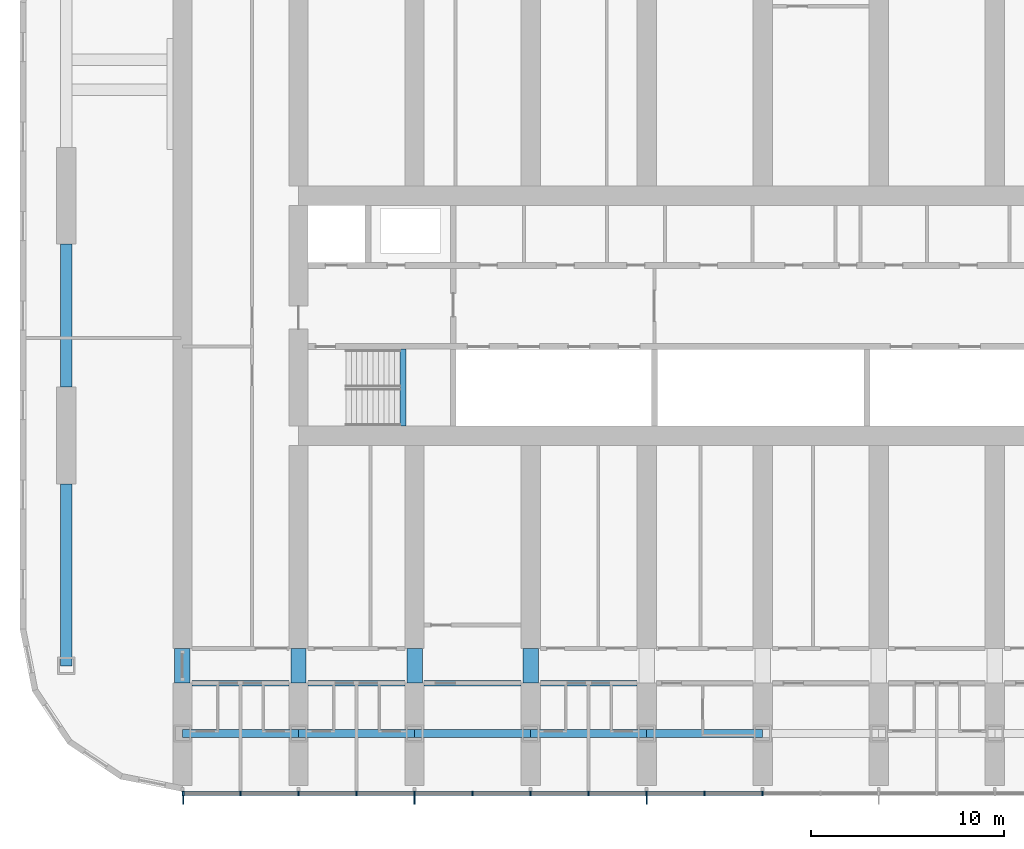
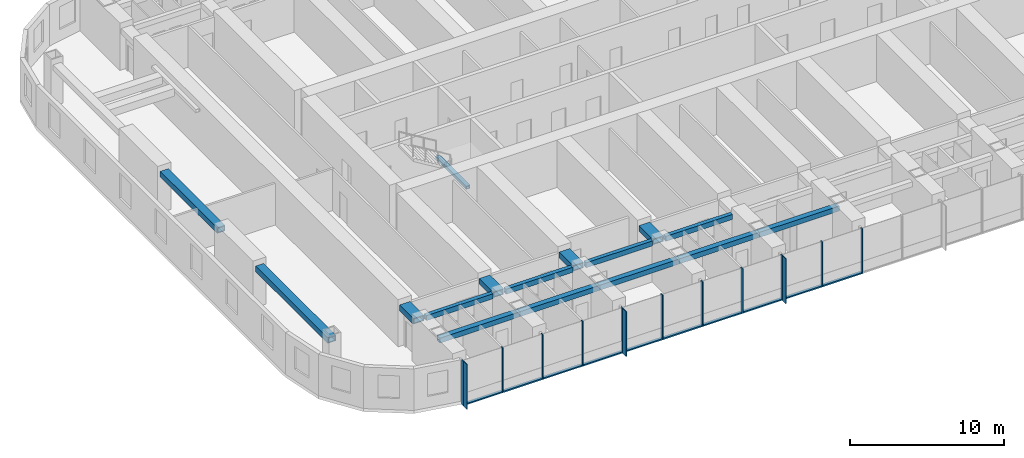
# One storey, part 2 of 24: 24 members, 16 beams, 1 element without a shape of its own.
"""IFC4 building model written with IfcOpenShell, lengths in metres."""

from ifc_helpers import new_model, si_unit, direction, frame, origin, origin_2d, place, context, subcontext, project, spatial, rectangle, hollow_rectangle, extrude, material, material_profile, profile_set, type_object, element, aggregate, save


model = new_model("IFC4")

# Units and contexts
model_context = context("Model", 3, precision=1e-05, world=origin(), true_north=direction((0.0, 1.0)))
body_context = subcontext(model_context, "Body", "Model", "MODEL_VIEW")
ifc_project = project(units=[si_unit("LENGTHUNIT", "METRE"), si_unit("AREAUNIT", "SQUARE_METRE"), si_unit("VOLUMEUNIT", "CUBIC_METRE"), si_unit("PLANEANGLEUNIT", "RADIAN"), si_unit("MASSUNIT", "GRAM", prefix="KILO")], contexts=[model_context])

# Site, building, storey
site_placement = place(None, origin())
site = spatial("IfcSite", under=ifc_project, at=site_placement, CompositionType="ELEMENT")
building_placement = place(site_placement, origin())
building = spatial("IfcBuilding", under=site, at=building_placement, Name="Orbita Commons", CompositionType="ELEMENT")
storey_placement = place(building_placement, frame((0.0, 0.0, 20.199951171875)))
storey = spatial("IfcBuildingStorey", under=building, at=storey_placement, Name="L04", CompositionType="ELEMENT", Elevation=20.199951171875)

# Curtain wall, members
ifc_material_1 = material(Name="Anodised aluminium frame, pale silver", Category="aluminium")
curtain_wall_type = type_object("IfcCurtainWallType", Name="Unitised curtain wall CW-T, vision and spandrel", PredefinedType="NOTDEFINED", material=ifc_material_1)
curtain_wall_placement = place(storey_placement, origin())
curtain_wall = element("IfcCurtainWall", 1, at=curtain_wall_placement, inside=storey, type_object=curtain_wall_type, Name="Curtain wall south L04", PredefinedType="NOTDEFINED")
ifc_material_2 = material(Name="Anodised aluminium, pale silver", Category="aluminium")
ifc_material_profile_1 = material_profile(ifc_material_2, rectangle(XDim=0.080078125, YDim=0.219970703125, at=origin_2d()), Name="AL 80x220")
ifc_profile_set_1 = profile_set([ifc_material_profile_1], Name="Anodised aluminium, pale silver")
member_type_1 = type_object("IfcMemberType", Name="Curtain wall mullion 80x220", PredefinedType="MULLION", material=ifc_profile_set_1)
member_1_placement = place(storey_placement, frame((12.0400390625, 7.2900390625, -0.25), z_axis=(0.0, 0.0, 1.0), x_axis=(1.0, 0.0, 0.0)))
member_1 = element("IfcMember", 2, at=member_1_placement, type_object=member_type_1, Name="Mullion 1 CW-L04-S", PredefinedType="MULLION", context=body_context, shape_type="SweptSolid", body=[
    extrude(rectangle(XDim=0.080078125, YDim=0.219970703125, at=origin_2d()), origin(), (0.0, 0.0, 1.0), 3.550048828125),
])
member_2_placement = place(storey_placement, frame((15.0, 7.2900390625, -0.25), z_axis=(0.0, 0.0, 1.0), x_axis=(1.0, 0.0, 0.0)))
member_2 = element("IfcMember", 3, at=member_2_placement, type_object=member_type_1, Name="Mullion 2 CW-L04-S", PredefinedType="MULLION", context=body_context, shape_type="SweptSolid", body=[
    extrude(rectangle(XDim=0.080078125, YDim=0.219970703125, at=origin_2d()), origin(), (0.0, 0.0, 1.0), 3.550048828125),
])
member_3_placement = place(storey_placement, frame((18.0, 7.2900390625, -0.25), z_axis=(0.0, 0.0, 1.0), x_axis=(1.0, 0.0, 0.0)))
member_3 = element("IfcMember", 4, at=member_3_placement, type_object=member_type_1, Name="Mullion 3 CW-L04-S", PredefinedType="MULLION", context=body_context, shape_type="SweptSolid", body=[
    extrude(rectangle(XDim=0.080078125, YDim=0.219970703125, at=origin_2d()), origin(), (0.0, 0.0, 1.0), 3.550048828125),
])
member_4_placement = place(storey_placement, frame((21.0, 7.2900390625, -0.25), z_axis=(0.0, 0.0, 1.0), x_axis=(1.0, 0.0, 0.0)))
member_4 = element("IfcMember", 5, at=member_4_placement, type_object=member_type_1, Name="Mullion 4 CW-L04-S", PredefinedType="MULLION", context=body_context, shape_type="SweptSolid", body=[
    extrude(rectangle(XDim=0.080078125, YDim=0.219970703125, at=origin_2d()), origin(), (0.0, 0.0, 1.0), 3.550048828125),
])
member_5_placement = place(storey_placement, frame((24.0, 7.2900390625, -0.25), z_axis=(0.0, 0.0, 1.0), x_axis=(1.0, 0.0, 0.0)))
member_5 = element("IfcMember", 6, at=member_5_placement, type_object=member_type_1, Name="Mullion 5 CW-L04-S", PredefinedType="MULLION", context=body_context, shape_type="SweptSolid", body=[
    extrude(rectangle(XDim=0.080078125, YDim=0.219970703125, at=origin_2d()), origin(), (0.0, 0.0, 1.0), 3.550048828125),
])
member_6_placement = place(storey_placement, frame((27.0, 7.2900390625, -0.25), z_axis=(0.0, 0.0, 1.0), x_axis=(1.0, 0.0, 0.0)))
member_6 = element("IfcMember", 7, at=member_6_placement, type_object=member_type_1, Name="Mullion 6 CW-L04-S", PredefinedType="MULLION", context=body_context, shape_type="SweptSolid", body=[
    extrude(rectangle(XDim=0.080078125, YDim=0.219970703125, at=origin_2d()), origin(), (0.0, 0.0, 1.0), 3.550048828125),
])
member_7_placement = place(storey_placement, frame((30.0, 7.2900390625, -0.25), z_axis=(0.0, 0.0, 1.0), x_axis=(1.0, 0.0, 0.0)))
member_7 = element("IfcMember", 8, at=member_7_placement, type_object=member_type_1, Name="Mullion 7 CW-L04-S", PredefinedType="MULLION", context=body_context, shape_type="SweptSolid", body=[
    extrude(rectangle(XDim=0.080078125, YDim=0.219970703125, at=origin_2d()), origin(), (0.0, 0.0, 1.0), 3.550048828125),
])
member_8_placement = place(storey_placement, frame((33.0, 7.2900390625, -0.25), z_axis=(0.0, 0.0, 1.0), x_axis=(1.0, 0.0, 0.0)))
member_8 = element("IfcMember", 9, at=member_8_placement, type_object=member_type_1, Name="Mullion 8 CW-L04-S", PredefinedType="MULLION", context=body_context, shape_type="SweptSolid", body=[
    extrude(rectangle(XDim=0.080078125, YDim=0.219970703125, at=origin_2d()), origin(), (0.0, 0.0, 1.0), 3.550048828125),
])
member_9_placement = place(storey_placement, frame((36.0, 7.2900390625, -0.25), z_axis=(0.0, 0.0, 1.0), x_axis=(1.0, 0.0, 0.0)))
member_9 = element("IfcMember", 10, at=member_9_placement, type_object=member_type_1, Name="Mullion 9 CW-L04-S", PredefinedType="MULLION", context=body_context, shape_type="SweptSolid", body=[
    extrude(rectangle(XDim=0.080078125, YDim=0.219970703125, at=origin_2d()), origin(), (0.0, 0.0, 1.0), 3.550048828125),
])
member_10_placement = place(storey_placement, frame((39.0, 7.2900390625, -0.25), z_axis=(0.0, 0.0, 1.0), x_axis=(1.0, 0.0, 0.0)))
member_10 = element("IfcMember", 11, at=member_10_placement, type_object=member_type_1, Name="Mullion 10 CW-L04-S", PredefinedType="MULLION", context=body_context, shape_type="SweptSolid", body=[
    extrude(rectangle(XDim=0.080078125, YDim=0.219970703125, at=origin_2d()), origin(), (0.0, 0.0, 1.0), 3.550048828125),
])
member_11_placement = place(storey_placement, frame((42.0, 7.2900390625, -0.25), z_axis=(0.0, 0.0, 1.0), x_axis=(1.0, 0.0, 0.0)))
member_11 = element("IfcMember", 12, at=member_11_placement, type_object=member_type_1, Name="Mullion 11 CW-L04-S", PredefinedType="MULLION", context=body_context, shape_type="SweptSolid", body=[
    extrude(rectangle(XDim=0.080078125, YDim=0.219970703125, at=origin_2d()), origin(), (0.0, 0.0, 1.0), 3.550048828125),
])
ifc_material_3 = material(Name="Anodised aluminium, pale silver", Category="aluminium")
ifc_material_profile_2 = material_profile(ifc_material_3, rectangle(XDim=0.219970703125, YDim=0.10009765625, at=origin_2d()), Name="AL 220x100")
ifc_profile_set_2 = profile_set([ifc_material_profile_2], Name="Anodised aluminium, pale silver")
member_type_2 = type_object("IfcMemberType", Name="Curtain wall stack transom 220x100", PredefinedType="USERDEFINED", material=ifc_profile_set_2)
member_12_placement = place(storey_placement, frame((12.080078125, 7.2900390625, -0.199951171875), z_axis=(1.0, 0.0, 0.0), x_axis=(0.0, 1.0, 0.0)))
member_12 = element("IfcMember", 13, at=member_12_placement, type_object=member_type_2, Name="Transom 1.1 CW-L04-S", ObjectType="TRANSOM", PredefinedType="USERDEFINED", context=body_context, shape_type="SweptSolid", body=[
    extrude(rectangle(XDim=0.219970703125, YDim=0.10009765625, at=origin_2d()), origin(), (0.0, 0.0, 1.0), 2.8798828125),
])
member_13_placement = place(storey_placement, frame((15.0400390625, 7.2900390625, -0.199951171875), z_axis=(1.0, 0.0, 0.0), x_axis=(0.0, 1.0, 0.0)))
member_13 = element("IfcMember", 14, at=member_13_placement, type_object=member_type_2, Name="Transom 2.1 CW-L04-S", ObjectType="TRANSOM", PredefinedType="USERDEFINED", context=body_context, shape_type="SweptSolid", body=[
    extrude(rectangle(XDim=0.219970703125, YDim=0.10009765625, at=origin_2d()), origin(), (0.0, 0.0, 1.0), 2.919921875),
])
member_14_placement = place(storey_placement, frame((18.0400390625, 7.2900390625, -0.199951171875), z_axis=(1.0, 0.0, 0.0), x_axis=(0.0, 1.0, 0.0)))
member_14 = element("IfcMember", 15, at=member_14_placement, type_object=member_type_2, Name="Transom 3.1 CW-L04-S", ObjectType="TRANSOM", PredefinedType="USERDEFINED", context=body_context, shape_type="SweptSolid", body=[
    extrude(rectangle(XDim=0.219970703125, YDim=0.10009765625, at=origin_2d()), origin(), (0.0, 0.0, 1.0), 2.919921875),
])
member_15_placement = place(storey_placement, frame((21.0400390625, 7.2900390625, -0.199951171875), z_axis=(1.0, 0.0, 0.0), x_axis=(0.0, 1.0, 0.0)))
member_15 = element("IfcMember", 16, at=member_15_placement, type_object=member_type_2, Name="Transom 4.1 CW-L04-S", ObjectType="TRANSOM", PredefinedType="USERDEFINED", context=body_context, shape_type="SweptSolid", body=[
    extrude(rectangle(XDim=0.219970703125, YDim=0.10009765625, at=origin_2d()), origin(), (0.0, 0.0, 1.0), 2.919921875),
])
member_16_placement = place(storey_placement, frame((24.0400390625, 7.2900390625, -0.199951171875), z_axis=(1.0, 0.0, 0.0), x_axis=(0.0, 1.0, 0.0)))
member_16 = element("IfcMember", 17, at=member_16_placement, type_object=member_type_2, Name="Transom 5.1 CW-L04-S", ObjectType="TRANSOM", PredefinedType="USERDEFINED", context=body_context, shape_type="SweptSolid", body=[
    extrude(rectangle(XDim=0.219970703125, YDim=0.10009765625, at=origin_2d()), origin(), (0.0, 0.0, 1.0), 2.919921875),
])
member_17_placement = place(storey_placement, frame((27.0400390625, 7.2900390625, -0.199951171875), z_axis=(1.0, 0.0, 0.0), x_axis=(0.0, 1.0, 0.0)))
member_17 = element("IfcMember", 18, at=member_17_placement, type_object=member_type_2, Name="Transom 6.1 CW-L04-S", ObjectType="TRANSOM", PredefinedType="USERDEFINED", context=body_context, shape_type="SweptSolid", body=[
    extrude(rectangle(XDim=0.219970703125, YDim=0.10009765625, at=origin_2d()), origin(), (0.0, 0.0, 1.0), 2.919921875),
])
member_18_placement = place(storey_placement, frame((30.0400390625, 7.2900390625, -0.199951171875), z_axis=(1.0, 0.0, 0.0), x_axis=(0.0, 1.0, 0.0)))
member_18 = element("IfcMember", 19, at=member_18_placement, type_object=member_type_2, Name="Transom 7.1 CW-L04-S", ObjectType="TRANSOM", PredefinedType="USERDEFINED", context=body_context, shape_type="SweptSolid", body=[
    extrude(rectangle(XDim=0.219970703125, YDim=0.10009765625, at=origin_2d()), origin(), (0.0, 0.0, 1.0), 2.919921875),
])
member_19_placement = place(storey_placement, frame((33.0400390625, 7.2900390625, -0.199951171875), z_axis=(1.0, 0.0, 0.0), x_axis=(0.0, 1.0, 0.0)))
member_19 = element("IfcMember", 20, at=member_19_placement, type_object=member_type_2, Name="Transom 8.1 CW-L04-S", ObjectType="TRANSOM", PredefinedType="USERDEFINED", context=body_context, shape_type="SweptSolid", body=[
    extrude(rectangle(XDim=0.219970703125, YDim=0.10009765625, at=origin_2d()), origin(), (0.0, 0.0, 1.0), 2.919921875),
])
member_20_placement = place(storey_placement, frame((36.0400390625, 7.2900390625, -0.199951171875), z_axis=(1.0, 0.0, 0.0), x_axis=(0.0, 1.0, 0.0)))
member_20 = element("IfcMember", 21, at=member_20_placement, type_object=member_type_2, Name="Transom 9.1 CW-L04-S", ObjectType="TRANSOM", PredefinedType="USERDEFINED", context=body_context, shape_type="SweptSolid", body=[
    extrude(rectangle(XDim=0.219970703125, YDim=0.10009765625, at=origin_2d()), origin(), (0.0, 0.0, 1.0), 2.919921875),
])
member_21_placement = place(storey_placement, frame((39.0400390625, 7.2900390625, -0.199951171875), z_axis=(1.0, 0.0, 0.0), x_axis=(0.0, 1.0, 0.0)))
member_21 = element("IfcMember", 22, at=member_21_placement, type_object=member_type_2, Name="Transom 10.1 CW-L04-S", ObjectType="TRANSOM", PredefinedType="USERDEFINED", context=body_context, shape_type="SweptSolid", body=[
    extrude(rectangle(XDim=0.219970703125, YDim=0.10009765625, at=origin_2d()), origin(), (0.0, 0.0, 1.0), 2.919921875),
])

# Beams
ifc_material_4 = material(Name="Steel ASTM A572 Gr 50 welded plate", Category="steel")
ifc_material_profile_3 = material_profile(ifc_material_4, hollow_rectangle(XDim=0.300048828125, YDim=0.25, WallThickness=0.02490234375, at=origin_2d()), Name="BOX 250x300x25")
ifc_profile_set_3 = profile_set([ifc_material_profile_3], Name="Steel ASTM A572 Gr 50 welded plate")
beam_type_1 = type_object("IfcBeamType", Name="Stair landing beam steel BOX 250x300x25", PredefinedType="BEAM", material=ifc_profile_set_3)
beam_1_placement = place(storey_placement, frame((23.39990234375, 26.284912109375, 1.550048828125), z_axis=(0.0, 1.0, 0.0), x_axis=(-1.0, 0.0, 0.0)))
element("IfcBeam", 23, at=beam_1_placement, inside=storey, type_object=beam_type_1, Name="Stair S1 landing beam L04 1", PredefinedType="BEAM", context=body_context, shape_type="SweptSolid", body=[
    extrude(hollow_rectangle(XDim=0.300048828125, YDim=0.25, WallThickness=0.02490234375, at=origin_2d()), origin(), (0.0, 0.0, 1.0), 3.97998046875),
])
ifc_material_5 = material(Name="Steel ASTM A572 Gr 50 welded plate", Category="steel")
ifc_material_profile_4 = material_profile(ifc_material_5, hollow_rectangle(XDim=0.300048828125, YDim=0.39990234375, WallThickness=0.0400390625, at=origin_2d()), Name="BOX 400x300x40")
ifc_profile_set_4 = profile_set([ifc_material_profile_4], Name="Steel ASTM A572 Gr 50 welded plate")
beam_type_2 = type_object("IfcBeamType", Name="Steel corridor link BOX 400x300x40", PredefinedType="BEAM", material=ifc_profile_set_4)
for number, where, z_axis, x_axis, name in (
    (24, (12.5, 13.0, 3.10009765625), (1.0, 0.0, 0.0), (0.0, 1.0, 0.0), "Corridor beam SA 3-4 L04"),
    (25, (18.5, 13.0, 3.10009765625), (1.0, 0.0, 0.0), (0.0, 1.0, 0.0), "Corridor beam SA 4-5 L04"),
    (26, (24.5, 13.0, 3.10009765625), (1.0, 0.0, 0.0), (0.0, 1.0, 0.0), "Corridor beam SA 5-6 L04"),
    (27, (30.5, 13.0, 3.10009765625), (1.0, 0.0, 0.0), (0.0, 1.0, 0.0), "Corridor beam SA 6-7 L04"),
):
    element("IfcBeam", number, at=place(storey_placement, frame(where, z_axis=z_axis, x_axis=x_axis)), inside=storey, type_object=beam_type_2, Name=name, PredefinedType="BEAM", context=body_context, shape_type="SweptSolid", body=[
        extrude(hollow_rectangle(XDim=0.300048828125, YDim=0.39990234375, WallThickness=0.0400390625, at=origin_2d()), origin(), (0.0, 0.0, 1.0), 5.0),
    ])
ifc_material_6 = material(Name="Steel ASTM A572 Gr 50 welded plate", Category="steel")
ifc_material_profile_5 = material_profile(ifc_material_6, hollow_rectangle(XDim=0.800048828125, YDim=0.449951171875, WallThickness=0.06005859375, at=origin_2d()), Name="BOX 450x800x60")
ifc_profile_set_5 = profile_set([ifc_material_profile_5], Name="Steel ASTM A572 Gr 50 welded plate")
beam_type_3 = type_object("IfcBeamType", Name="Steel coupling link BOX 450x800x60", PredefinedType="LINTEL", material=ifc_profile_set_5)
for number, where, z_axis, x_axis, name in (
    (28, (12.0, 13.0, 3.074951171875), (0.0, 1.0, 0.0), (-1.0, 0.0, 0.0), "Coupling beam 3 south L04"),
    (29, (18.0, 13.0, 3.074951171875), (0.0, 1.0, 0.0), (-1.0, 0.0, 0.0), "Coupling beam 4 south L04"),
    (30, (24.0, 13.0, 3.074951171875), (0.0, 1.0, 0.0), (-1.0, 0.0, 0.0), "Coupling beam 5 south L04"),
    (31, (30.0, 13.0, 3.074951171875), (0.0, 1.0, 0.0), (-1.0, 0.0, 0.0), "Coupling beam 6 south L04"),
):
    element("IfcBeam", number, at=place(storey_placement, frame(where, z_axis=z_axis, x_axis=x_axis)), inside=storey, type_object=beam_type_3, Name=name, PredefinedType="LINTEL", context=body_context, shape_type="SweptSolid", body=[
        extrude(hollow_rectangle(XDim=0.800048828125, YDim=0.449951171875, WallThickness=0.06005859375, at=origin_2d()), origin(), (0.0, 0.0, 1.0), 1.800048828125),
    ])
ifc_material_7 = material(Name="Steel ASTM A572 Gr 50 welded plate", Category="steel")
ifc_material_profile_6 = material_profile(ifc_material_7, hollow_rectangle(XDim=0.60009765625, YDim=0.449951171875, WallThickness=0.06005859375, at=origin_2d()), Name="BOX 450x600x60")
ifc_profile_set_6 = profile_set([ifc_material_profile_6], Name="Steel ASTM A572 Gr 50 welded plate")
beam_type_4 = type_object("IfcBeamType", Name="Steel end frame link BOX 450x600x60", PredefinedType="BEAM", material=ifc_profile_set_6)
beam_2_placement = place(storey_placement, frame((6.0, 13.89990234375, 3.074951171875), z_axis=(0.0, 1.0, 0.0), x_axis=(-1.0, 0.0, 0.0)))
element("IfcBeam", 32, at=beam_2_placement, inside=storey, type_object=beam_type_4, Name="End frame beam 2 B-C L04", PredefinedType="BEAM", context=body_context, shape_type="SweptSolid", body=[
    extrude(hollow_rectangle(XDim=0.60009765625, YDim=0.449951171875, WallThickness=0.06005859375, at=origin_2d()), origin(), (0.0, 0.0, 1.0), 9.400146484375),
])
beam_3_placement = place(storey_placement, frame((6.0, 28.300048828125, 3.074951171875), z_axis=(0.0, 1.0, 0.0), x_axis=(-1.0, 0.0, 0.0)))
element("IfcBeam", 33, at=beam_3_placement, inside=storey, type_object=beam_type_4, Name="End frame beam 2 C-D L04", PredefinedType="BEAM", context=body_context, shape_type="SweptSolid", body=[
    extrude(hollow_rectangle(XDim=0.60009765625, YDim=0.449951171875, WallThickness=0.06005859375, at=origin_2d()), origin(), (0.0, 0.0, 1.0), 7.39990234375),
])
ifc_material_8 = material(Name="Steel ASTM A572 Gr 50 welded plate", Category="steel")
ifc_material_profile_7 = material_profile(ifc_material_8, hollow_rectangle(XDim=0.39990234375, YDim=0.39990234375, WallThickness=0.0400390625, at=origin_2d()), Name="BOX 400x400x40")
ifc_profile_set_7 = profile_set([ifc_material_profile_7], Name="Steel ASTM A572 Gr 50 welded plate")
beam_type_5 = type_object("IfcBeamType", Name="Steel spandrel BOX 400x400x40", PredefinedType="SPANDREL", material=ifc_profile_set_7)
for number, where, z_axis, x_axis, name in (
    (34, (12.0, 10.39990234375, 3.10009765625), (1.0, 0.0, 0.0), (0.0, 1.0, 0.0), "Spandrel beam B 3-4 L04"),
    (35, (18.0, 10.39990234375, 3.10009765625), (1.0, 0.0, 0.0), (0.0, 1.0, 0.0), "Spandrel beam B 4-5 L04"),
    (36, (24.0, 10.39990234375, 3.10009765625), (1.0, 0.0, 0.0), (0.0, 1.0, 0.0), "Spandrel beam B 5-6 L04"),
    (37, (30.0, 10.39990234375, 3.10009765625), (1.0, 0.0, 0.0), (0.0, 1.0, 0.0), "Spandrel beam B 6-7 L04"),
    (38, (36.0, 10.39990234375, 3.10009765625), (1.0, 0.0, 0.0), (0.0, 1.0, 0.0), "Spandrel beam B 7-8 L04"),
):
    element("IfcBeam", number, at=place(storey_placement, frame(where, z_axis=z_axis, x_axis=x_axis)), inside=storey, type_object=beam_type_5, Name=name, PredefinedType="SPANDREL", context=body_context, shape_type="SweptSolid", body=[
        extrude(hollow_rectangle(XDim=0.39990234375, YDim=0.39990234375, WallThickness=0.0400390625, at=origin_2d()), origin(), (0.0, 0.0, 1.0), 6.0),
    ])

# Member
ifc_material_9 = material(Name="Anodised aluminium, pale silver", Category="aluminium")
ifc_material_profile_8 = material_profile(ifc_material_9, rectangle(XDim=0.06005859375, YDim=0.449951171875, at=origin_2d()), Name="FIN 60x450")
ifc_profile_set_8 = profile_set([ifc_material_profile_8], Name="Anodised aluminium, pale silver")
member_type_3 = type_object("IfcMemberType", Name="Vertical fin 60x450 pale aluminium", PredefinedType="USERDEFINED", material=ifc_profile_set_8)
member_22_placement = place(storey_placement, frame((12.0400390625, 6.955078125, -0.25), z_axis=(0.0, 0.0, 1.0), x_axis=(1.0, 0.0, 0.0)))
member_22 = element("IfcMember", 39, at=member_22_placement, type_object=member_type_3, Name="Fin 1 CW-L04-S", ObjectType="FIN", PredefinedType="USERDEFINED", context=body_context, shape_type="SweptSolid", body=[
    extrude(rectangle(XDim=0.06005859375, YDim=0.449951171875, at=origin_2d()), origin(), (0.0, 0.0, 1.0), 3.550048828125),
])

member_23_placement = place(storey_placement, frame((24.0, 6.955078125, -0.25), z_axis=(0.0, 0.0, 1.0), x_axis=(1.0, 0.0, 0.0)))
member_23 = element("IfcMember", 40, at=member_23_placement, type_object=member_type_3, Name="Fin 5 CW-L04-S", ObjectType="FIN", PredefinedType="USERDEFINED", context=body_context, shape_type="SweptSolid", body=[
    extrude(rectangle(XDim=0.06005859375, YDim=0.449951171875, at=origin_2d()), origin(), (0.0, 0.0, 1.0), 3.550048828125),
])

member_24_placement = place(storey_placement, frame((36.0, 6.955078125, -0.25), z_axis=(0.0, 0.0, 1.0), x_axis=(1.0, 0.0, 0.0)))
member_24 = element("IfcMember", 41, at=member_24_placement, type_object=member_type_3, Name="Fin 9 CW-L04-S", ObjectType="FIN", PredefinedType="USERDEFINED", context=body_context, shape_type="SweptSolid", body=[
    extrude(rectangle(XDim=0.06005859375, YDim=0.449951171875, at=origin_2d()), origin(), (0.0, 0.0, 1.0), 3.550048828125),
])

aggregate(curtain_wall, [member_1, member_22, member_2, member_3, member_4, member_5, member_23, member_6, member_7, member_8, member_9, member_24, member_10, member_11, member_12, member_13, member_14, member_15, member_16, member_17, member_18, member_19, member_20, member_21])

save(model, "model.ifc")
